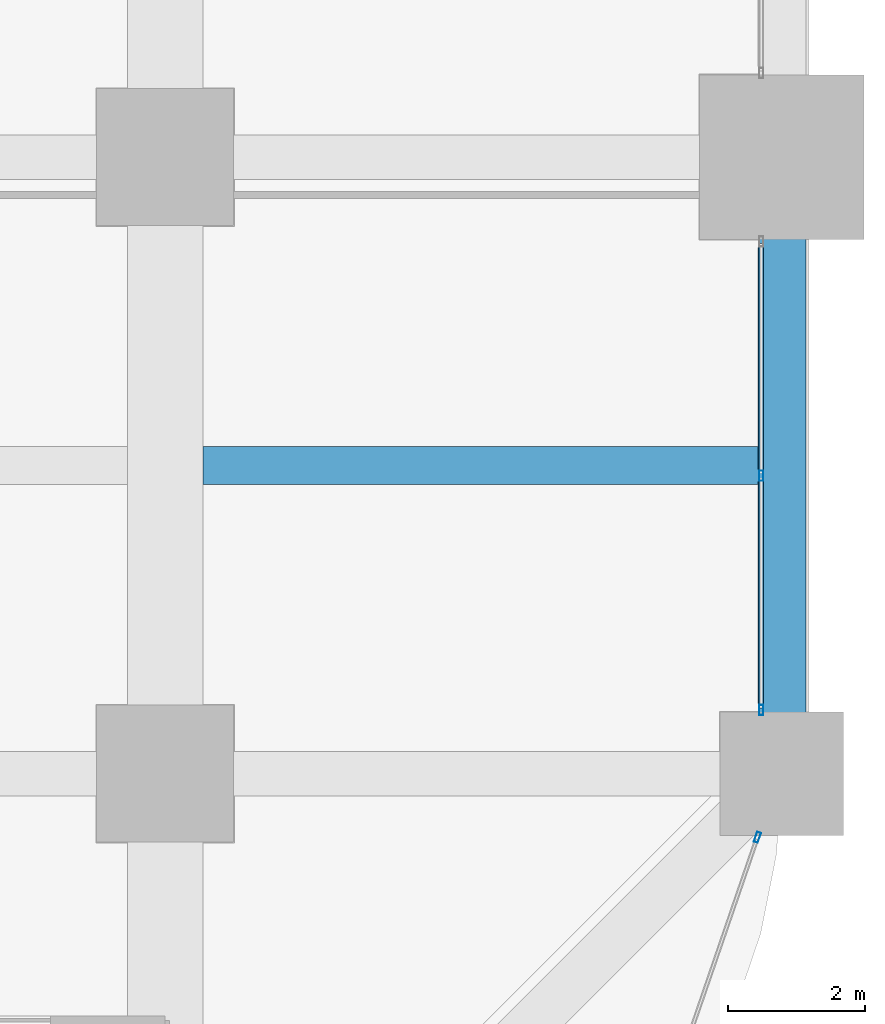
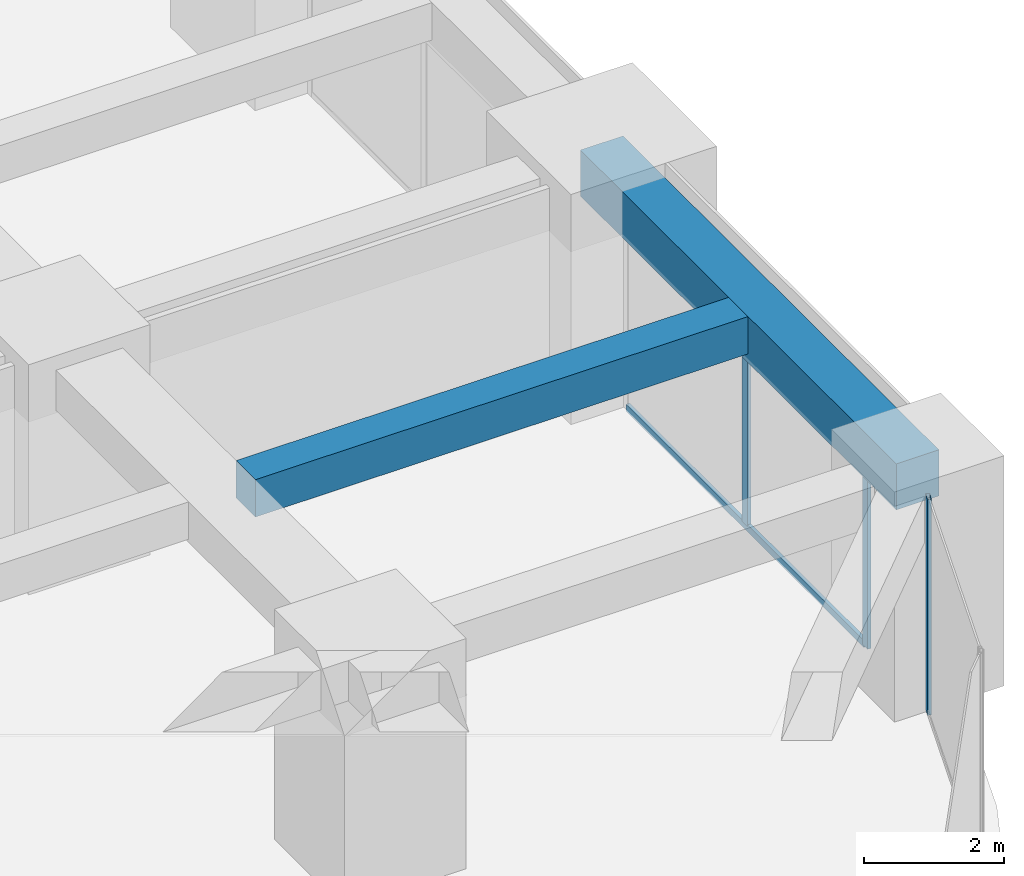
# One storey, part 19 of 41: 4 members, 2 beams, 2 elements without a shape of their own.
"""IFC4 building model written with IfcOpenShell, lengths in metres."""

import ifcopenshell
import ifcopenshell.guid

model = None  # the IFC model being written
_history = None  # IfcOwnerHistory: only IFC2X3 demands one
_inside = {}  # id of a spatial element -> (the spatial element, [elements in it])
_under = {}  # id of a project, library or spatial element -> (it, [spatial elements below it])
_declared = {}  # id of a project -> (the project, [libraries it declares])
_typed = {}  # id of a type object -> (the type object, [elements of that type])
_made_of = {}  # id of a material, layer set ... -> (it, [elements and type objects made of it])


def new_model(schema):
    """Start an empty IFC model of exactly this schema.

    Asked for "IFC4X3", IfcOpenShell would pick the latest addendum, in which some entities
    have other attributes; the version numbers below select the first issue.
    IFC2X3 requires an IfcOwnerHistory on every rooted entity: one is made here for all.
    """
    global model, _history
    if schema == "IFC4X3":
        model = ifcopenshell.file(schema_version=(4, 3, 0, 0))
    else:
        model = ifcopenshell.file(schema=schema)
    _inside.clear()
    _under.clear()
    _declared.clear()
    _typed.clear()
    _made_of.clear()
    _history = None
    if model.schema == "IFC2X3":
        org = make("IfcOrganization", Name="unknown")
        user = make(
            "IfcPersonAndOrganization",
            ThePerson=make("IfcPerson", FamilyName="unknown"),
            TheOrganization=org,
        )
        app = make(
            "IfcApplication",
            ApplicationDeveloper=org,
            Version="unknown",
            ApplicationFullName="unknown",
            ApplicationIdentifier="unknown",
        )
        _history = make(
            "IfcOwnerHistory",
            OwningUser=user,
            OwningApplication=app,
            ChangeAction="ADDED",
            CreationDate=0,
        )
    return model


def make(cls, **values):
    """One entity of the class cls with the attributes given. An attribute that is None is left unset."""
    return model.create_entity(
        cls, **{name: value for name, value in values.items() if value is not None}
    )


def rooted(cls, **values):
    """An entity with a GlobalId (a new one), such as an element, a storey or a relation."""
    return make(cls, GlobalId=ifcopenshell.guid.new(), OwnerHistory=_history, **values)


def si_unit(unit_type, name, prefix=None):
    """IfcSIUnit, for example si_unit("LENGTHUNIT", "METRE", prefix="MILLI")."""
    return make("IfcSIUnit", UnitType=unit_type, Prefix=prefix, Name=name)


def assignment(units):
    """IfcUnitAssignment: the units of a project."""
    return None if units is None else make("IfcUnitAssignment", Units=units)


def point(xyz):
    """IfcCartesianPoint."""
    return None if xyz is None else make("IfcCartesianPoint", Coordinates=xyz)


def direction(xyz):
    """IfcDirection."""
    return None if xyz is None else make("IfcDirection", DirectionRatios=xyz)


def frame(location, z_axis=None, x_axis=None):
    """IfcAxis2Placement3D, a coordinate frame: its origin and axes. An axis left out is left unset."""
    return make(
        "IfcAxis2Placement3D",
        Location=point(location),
        Axis=direction(z_axis),
        RefDirection=direction(x_axis),
    )


def frame_2d(location, x_axis=None):
    """IfcAxis2Placement2D, a coordinate frame in the plane: its origin and x axis."""
    return make(
        "IfcAxis2Placement2D", Location=point(location), RefDirection=direction(x_axis)
    )


def origin():
    """The frame at (0, 0, 0) with its axes left unset."""
    return frame((0.0, 0.0, 0.0))


def origin_2d():
    """The frame at (0, 0) in the plane with its x axis left unset."""
    return frame_2d((0.0, 0.0))


def place(relative_to, where):
    """IfcLocalPlacement: puts the frame where relative to a parent placement (None: the world)."""
    return make(
        "IfcLocalPlacement", PlacementRelTo=relative_to, RelativePlacement=where
    )


def context(
    kind, dimensions, precision=None, world=None, true_north=None, identifier=None
):
    """IfcGeometricRepresentationContext, for example the 3D "Model" context."""
    return make(
        "IfcGeometricRepresentationContext",
        ContextIdentifier=identifier,
        ContextType=kind,
        CoordinateSpaceDimension=dimensions,
        Precision=precision,
        WorldCoordinateSystem=world,
        TrueNorth=true_north,
    )


def subcontext(parent, identifier, kind, view, scale=None):
    """IfcGeometricRepresentationSubContext, for example "Body" below "Model"."""
    return make(
        "IfcGeometricRepresentationSubContext",
        ContextIdentifier=identifier,
        ContextType=kind,
        ParentContext=parent,
        TargetScale=scale,
        TargetView=view,
    )


def project(units=None, contexts=None):
    """IfcProject with its units and contexts."""
    return rooted(
        "IfcProject",
        Name="project",
        RepresentationContexts=contexts,
        UnitsInContext=assignment(units),
    )


def spatial(cls, under=None, at=None, **own):
    """A site, building, storey or space (cls), placed at a placement, below another one or the project."""
    s = rooted(cls, ObjectPlacement=at, **own)
    if under is not None:
        _under.setdefault(under.id(), (under, []))[1].append(s)
    return s


def profile(cls, at=None, kind="AREA", **sizes):
    """A parametric profile (cls). Its sizes go by their IFC names, for example OverallWidth=200.0."""
    return make(cls, ProfileType=kind, Position=at, **sizes)


def rectangle(**sizes):
    """IfcRectangleProfileDef."""
    return profile("IfcRectangleProfileDef", **sizes)


def hollow_rectangle(**sizes):
    """IfcRectangleHollowProfileDef."""
    return profile("IfcRectangleHollowProfileDef", **sizes)


def extrude(swept, where, along, depth):
    """IfcExtrudedAreaSolid: the profile swept, set in the frame where, extruded along a direction by depth."""
    return make(
        "IfcExtrudedAreaSolid",
        SweptArea=swept,
        Position=where,
        ExtrudedDirection=direction(along),
        Depth=depth,
    )


def shape(context_of_items, identifier, shape_type, items):
    """IfcShapeRepresentation: the items that make up one representation, for example the "Body"."""
    return make(
        "IfcShapeRepresentation",
        ContextOfItems=context_of_items,
        RepresentationIdentifier=identifier,
        RepresentationType=shape_type,
        Items=items,
    )


def material(Name=None, Category=None):
    """IfcMaterial."""
    return make("IfcMaterial", Name=Name, Category=Category)


def material_profile(
    of_material, cross_section, Name=None, Category=None, Priority=None
):
    """IfcMaterialProfile: a cross section and its material."""
    return make(
        "IfcMaterialProfile",
        Name=Name,
        Material=of_material,
        Profile=cross_section,
        Priority=Priority,
        Category=Category,
    )


def profile_set(profiles, Name=None, composite=None):
    """IfcMaterialProfileSet."""
    return make(
        "IfcMaterialProfileSet",
        Name=Name,
        MaterialProfiles=profiles,
        CompositeProfile=composite,
    )


def made_of(thing, what):
    """Note that an element or type object is made of a material, layer set ...; save() writes the relation."""
    if what is not None:
        _made_of.setdefault(what.id(), (what, []))[1].append(thing)
    return thing


def type_object(cls, material=None, **own):
    """A type object (cls), such as IfcWallType, which elements share."""
    return made_of(rooted(cls, **own), material)


def element(
    cls,
    number,
    at=None,
    inside=None,
    cuts=None,
    type_object=None,
    material=None,
    context=None,
    identifier="Body",
    shape_type=None,
    held_by="IfcProductDefinitionShape",
    body=None,
    shapes=None,
    **own,
):
    """One element of the class cls, such as IfcWall. Its Tag is "e" and its number.

    at: its placement. inside: the storey or other place that contains it. cuts: it is an
    opening in that element (IfcRelVoidsElement). A single representation is given by context,
    identifier, shape_type and body (its items); several are given by shapes. held_by: the class
    of the entity that holds the representations. save() writes the other relations.
    """
    e = rooted(cls, Tag="e%d" % number, ObjectPlacement=at, **own)
    if body is not None:
        shapes = [shape(context, identifier, shape_type, body)]
    if shapes is not None:
        e.Representation = make(held_by, Representations=shapes)
    if inside is not None:
        _inside.setdefault(inside.id(), (inside, []))[1].append(e)
    if cuts is not None:
        rooted(
            "IfcRelVoidsElement", RelatingBuildingElement=cuts, RelatedOpeningElement=e
        )
    if type_object is not None:
        _typed.setdefault(type_object.id(), (type_object, []))[1].append(e)
    return made_of(e, material)


def aggregate(whole, parts):
    """IfcRelAggregates: a whole, such as a stair, and the parts it consists of."""
    return rooted("IfcRelAggregates", RelatingObject=whole, RelatedObjects=parts)


def save(model, path):
    """Write the relations noted so far, then the file.

    IfcRelAggregates (storeys below a building ...), IfcRelContainedInSpatialStructure (elements
    in a storey), IfcRelDefinesByType, IfcRelAssociatesMaterial and IfcRelDeclares: one each for
    every whole, place, type object, material and project.
    """
    for whole, parts in _under.values():
        aggregate(whole, parts)
    for where, things in _inside.values():
        rooted(
            "IfcRelContainedInSpatialStructure",
            RelatedElements=things,
            RelatingStructure=where,
        )
    for kind, things in _typed.values():
        rooted("IfcRelDefinesByType", RelatedObjects=things, RelatingType=kind)
    for what, things in _made_of.values():
        rooted("IfcRelAssociatesMaterial", RelatedObjects=things, RelatingMaterial=what)
    for by, libraries in _declared.values():
        rooted("IfcRelDeclares", RelatingContext=by, RelatedDefinitions=libraries)
    model.write(path)


model = new_model("IFC4")

# Units and contexts
model_context = context("Model", 3, precision=1e-05, world=origin(), true_north=direction((0.0, 1.0)))
body_context = subcontext(model_context, "Body", "Model", "MODEL_VIEW")
ifc_project = project(units=[si_unit("LENGTHUNIT", "METRE"), si_unit("AREAUNIT", "SQUARE_METRE"), si_unit("VOLUMEUNIT", "CUBIC_METRE"), si_unit("PLANEANGLEUNIT", "RADIAN"), si_unit("MASSUNIT", "GRAM", prefix="KILO")], contexts=[model_context])

# Site, building, storey
site_placement = place(None, origin())
site = spatial("IfcSite", under=ifc_project, at=site_placement, CompositionType="ELEMENT")
building_placement = place(site_placement, origin())
building = spatial("IfcBuilding", under=site, at=building_placement, Name="Zorevar Civic Tower", CompositionType="ELEMENT")
storey_placement = place(building_placement, frame((0.0, 0.0, 101.0)))
storey = spatial("IfcBuildingStorey", under=building, at=storey_placement, Name="L24", CompositionType="ELEMENT", Elevation=101.0)

# Beam
ifc_material_1 = material(Name="Concrete C50/60", Category="concrete")
ifc_material_profile_1 = material_profile(ifc_material_1, rectangle(XDim=0.550048828125, YDim=0.64990234375, at=origin_2d()), Name="RC 550x650")
ifc_profile_set_1 = profile_set([ifc_material_profile_1], Name="Concrete C50/60")
beam_type_1 = type_object("IfcBeamType", Name="Beam RC 550x650", PredefinedType="BEAM", material=ifc_profile_set_1)
beam_1_placement = place(storey_placement, frame((54.550048828125, 13.5, 3.425048828125), z_axis=(1.0, 0.0, 0.0), x_axis=(0.0, 1.0, 0.0)))
element("IfcBeam", 1, at=beam_1_placement, inside=storey, type_object=beam_type_1, Name="Secondary beam L25", PredefinedType="BEAM", context=body_context, shape_type="SweptSolid", body=[
    extrude(rectangle(XDim=0.550048828125, YDim=0.64990234375, at=origin_2d()), origin(), (0.0, 0.0, 1.0), 8.099853515625),
])

# Curtain wall, members
ifc_material_2 = material(Name="Dark grey solar-control glass in black aluminium frame", Category="aluminium")
curtain_wall_type = type_object("IfcCurtainWallType", Name="Curtain wall CW3 mid zone", PredefinedType="NOTDEFINED", material=ifc_material_2)
curtain_wall_1_placement = place(storey_placement, origin())
curtain_wall_1 = element("IfcCurtainWall", 2, at=curtain_wall_1_placement, inside=storey, type_object=curtain_wall_type, Name="CW3 L24", PredefinedType="NOTDEFINED")
ifc_material_3 = material(Name="Aluminium, black anodised", Category="aluminium")
ifc_material_profile_2 = material_profile(ifc_material_3, hollow_rectangle(XDim=0.06005859375, YDim=0.14990234375, WallThickness=0.00390625, at=origin_2d()), Name="AL 150x60x4")
ifc_profile_set_2 = profile_set([ifc_material_profile_2], Name="Aluminium, black anodised")
member_type_1 = type_object("IfcMemberType", Name="CW3 mullion AL 150x60x4", PredefinedType="MULLION", material=ifc_profile_set_2)
member_1_placement = place(storey_placement, frame((62.699951171875, 9.929931640625, 0.0), z_axis=(0.0, 0.0, 1.0), x_axis=(-1.0, 0.0, 0.0)))
member_1 = element("IfcMember", 3, at=member_1_placement, type_object=member_type_1, Name="CW3 mullion 1", PredefinedType="MULLION", context=body_context, shape_type="SweptSolid", body=[
    extrude(hollow_rectangle(XDim=0.06005859375, YDim=0.14990234375, WallThickness=0.00390625, at=origin_2d()), origin(), (0.0, 0.0, 1.0), 2.949951171875),
])
member_2_placement = place(storey_placement, frame((62.699951171875, 13.35009765625, 0.06005859375), z_axis=(0.0, 0.0, 1.0), x_axis=(-1.0, 0.0, 0.0)))
member_2 = element("IfcMember", 4, at=member_2_placement, type_object=member_type_1, Name="CW3 mullion 2", PredefinedType="MULLION", context=body_context, shape_type="SweptSolid", body=[
    extrude(hollow_rectangle(XDim=0.06005859375, YDim=0.14990234375, WallThickness=0.00390625, at=origin_2d()), origin(), (0.0, 0.0, 1.0), 2.889892578125),
])

# Curtain wall, member
curtain_wall_2_placement = place(storey_placement, origin())
curtain_wall_2 = element("IfcCurtainWall", 5, at=curtain_wall_2_placement, inside=storey, type_object=curtain_wall_type, Name="CW3 L24", PredefinedType="NOTDEFINED")
member_3_placement = place(storey_placement, frame((62.6435546875, 8.071533203125, 0.0), z_axis=(0.0, 0.0, 1.0), x_axis=(-0.945755772794, 0.324878466857, 0.0)))
member_3 = element("IfcMember", 6, at=member_3_placement, type_object=member_type_1, Name="CW3 mullion 2", PredefinedType="MULLION", context=body_context, shape_type="SweptSolid", body=[
    extrude(hollow_rectangle(XDim=0.06005859375, YDim=0.14990234375, WallThickness=0.00390625, at=origin_2d()), origin(), (0.0, 0.0, 1.0), 3.75),
])
aggregate(curtain_wall_2, [member_3])

# Member
ifc_material_4 = material(Name="Aluminium, black anodised", Category="aluminium")
ifc_material_profile_3 = material_profile(ifc_material_4, hollow_rectangle(XDim=0.06005859375, YDim=0.1201171875, WallThickness=0.0029296875, at=origin_2d()), Name="AL 120x60x3")
ifc_profile_set_3 = profile_set([ifc_material_profile_3], Name="Aluminium, black anodised")
member_type_2 = type_object("IfcMemberType", Name="CW3 transom AL 120x60x3", PredefinedType="USERDEFINED", material=ifc_profile_set_3)
member_4_placement = place(storey_placement, frame((62.699951171875, 9.9599609375, 0.030029296875), z_axis=(0.0, 1.0, 0.0), x_axis=(-1.0, 0.0, 0.0)))
member_4 = element("IfcMember", 7, at=member_4_placement, type_object=member_type_2, Name="CW3 sill transom", ObjectType="TRANSOM", PredefinedType="USERDEFINED", context=body_context, shape_type="SweptSolid", body=[
    extrude(hollow_rectangle(XDim=0.06005859375, YDim=0.1201171875, WallThickness=0.0029296875, at=origin_2d()), origin(), (0.0, 0.0, 1.0), 6.780029296875),
])

aggregate(curtain_wall_1, [member_1, member_2, member_4])

# Beam
ifc_material_5 = material(Name="Concrete C50/60", Category="concrete")
ifc_material_profile_4 = material_profile(ifc_material_5, rectangle(XDim=0.699951171875, YDim=0.800048828125, at=origin_2d()), Name="RC 700x800")
ifc_profile_set_4 = profile_set([ifc_material_profile_4], Name="Concrete C50/60")
beam_type_2 = type_object("IfcBeamType", Name="Edge beam RC 700x800", PredefinedType="SPANDREL", material=ifc_profile_set_4)
beam_2_placement = place(storey_placement, frame((63.0, 9.0, 3.35009765625), z_axis=(0.0, 1.0, 0.0), x_axis=(-1.0, 0.0, 0.0)))
element("IfcBeam", 8, at=beam_2_placement, inside=storey, type_object=beam_type_2, Name="Edge beam L25", PredefinedType="SPANDREL", context=body_context, shape_type="SweptSolid", body=[
    extrude(rectangle(XDim=0.699951171875, YDim=0.800048828125, at=origin_2d()), origin(), (0.0, 0.0, 1.0), 9.0),
])

save(model, "model.ifc")
